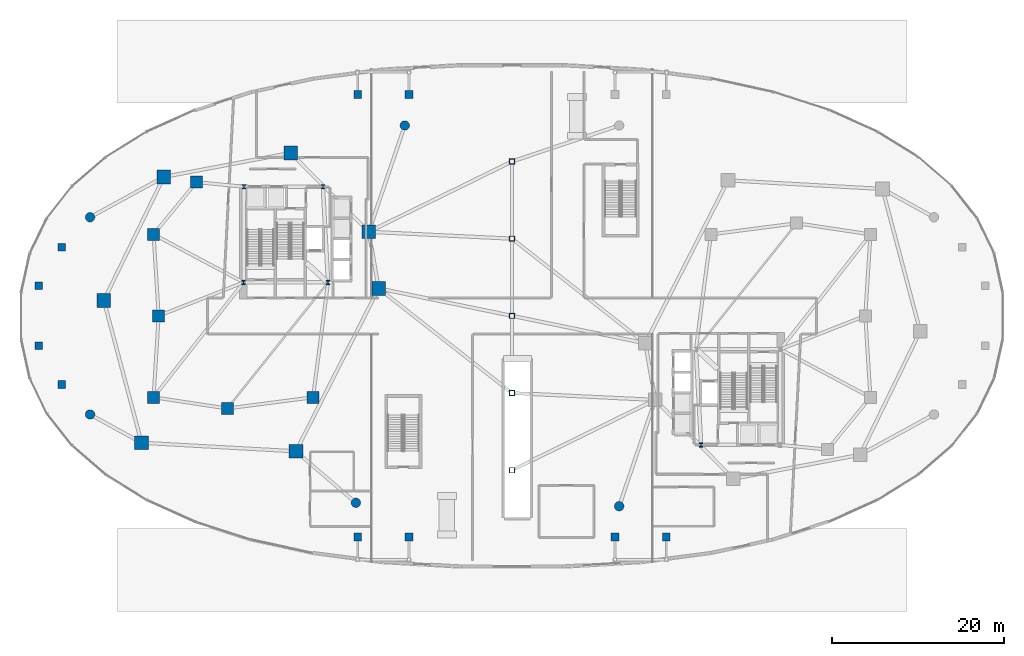
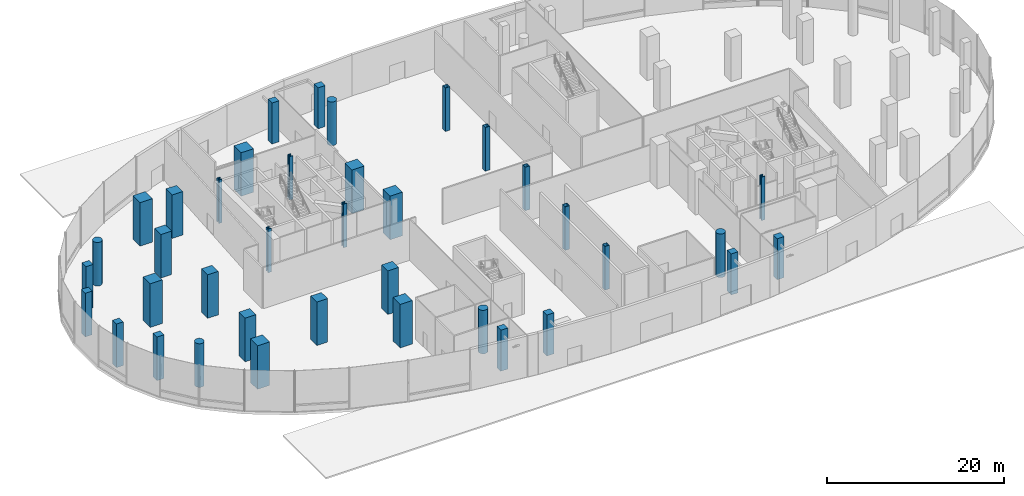
# One storey, part 1 of 20: 38 columns.
"""IFC4 building model written with IfcOpenShell, lengths in metres."""

from ifc_helpers import new_model, si_unit, direction, frame, origin, origin_2d, place, context, subcontext, project, spatial, rectangle, hollow_rectangle, circle, i_section, extrude, material, material_profile, profile_set, type_object, element, save


model = new_model("IFC4")

# Units and contexts
model_context = context("Model", 3, precision=1e-05, world=origin(), true_north=direction((0.0, 1.0)))
body_context = subcontext(model_context, "Body", "Model", "MODEL_VIEW")
ifc_project = project(units=[si_unit("LENGTHUNIT", "METRE"), si_unit("AREAUNIT", "SQUARE_METRE"), si_unit("VOLUMEUNIT", "CUBIC_METRE"), si_unit("PLANEANGLEUNIT", "RADIAN"), si_unit("MASSUNIT", "GRAM", prefix="KILO"), si_unit("THERMODYNAMICTEMPERATUREUNIT", "KELVIN"), si_unit("POWERUNIT", "WATT")], contexts=[model_context])

# Site, building, storey
site_placement = place(None, origin())
site = spatial("IfcSite", under=ifc_project, at=site_placement, CompositionType="ELEMENT")
building_placement = place(site_placement, origin())
building = spatial("IfcBuilding", under=site, at=building_placement, Name="Cundina Bronze Exchange", CompositionType="ELEMENT")
storey_placement = place(building_placement, origin())
storey = spatial("IfcBuildingStorey", under=building, at=storey_placement, Name="L00", CompositionType="ELEMENT", Elevation=0.0)

# Columns
ifc_material_1 = material(Name="Concrete C60/75", Category="concrete")
ifc_material_profile_1 = material_profile(ifc_material_1, rectangle(XDim=1.39990234375, YDim=1.39990234375, at=origin_2d()), Name="RC1400X1400", Category="concrete")
ifc_profile_set_1 = profile_set([ifc_material_profile_1], Name="Concrete C60/75")
column_type_1 = type_object("IfcColumnType", Name="COL-MEGA-1400", PredefinedType="COLUMN", material=ifc_profile_set_1)
for number, where, z_axis, x_axis, name in (
    (1, (-41.199951171875, 0.0, 0.0), (0.0, 0.0, 1.0), (1.0, 0.0, 0.0), "L00 W Inner Ring Column 1"),
    (2, (-41.800048828125, 9.5, 0.0), (0.0, 0.0, 1.0), (1.0, 0.0, 0.0), "L00 W Inner Ring Column 2"),
    (3, (-36.800048828125, 15.60009765625, 0.0), (0.0, 0.0, 1.0), (1.0, 0.0, 0.0), "L00 W Inner Ring Column 3"),
    (4, (-41.800048828125, -9.5, 0.0), (0.0, 0.0, 1.0), (1.0, 0.0, 0.0), "L00 W Inner Ring Column 4"),
    (5, (-33.199951171875, -10.800048828125, 0.0), (0.0, 0.0, 1.0), (1.0, 0.0, 0.0), "L00 W Inner Ring Column 5"),
    (6, (-23.199951171875, -9.5, 0.0), (0.0, 0.0, 1.0), (1.0, 0.0, 0.0), "L00 W Inner Ring Column 6"),
):
    element("IfcColumn", number, at=place(storey_placement, frame(where, z_axis=z_axis, x_axis=x_axis)), inside=storey, type_object=column_type_1, Name=name, PredefinedType="COLUMN", context=body_context, shape_type="SweptSolid", body=[
        extrude(rectangle(XDim=1.39990234375, YDim=1.39990234375, at=origin_2d()), origin(), (0.0, 0.0, 1.0), 6.0),
    ])
ifc_material_profile_2 = material_profile(ifc_material_1, rectangle(XDim=1.60009765625, YDim=1.60009765625, at=origin_2d()), Name="RC1600X1600", Category="concrete")
ifc_profile_set_2 = profile_set([ifc_material_profile_2], Name="Concrete C60/75")
column_type_2 = type_object("IfcColumnType", Name="COL-MEGA-1600", PredefinedType="COLUMN", material=ifc_profile_set_2)
for number, where, z_axis, x_axis, name in (
    (7, (-15.550048828125, 3.199951171875, 0.0), (0.0, 0.0, 1.0), (1.0, 0.0, 0.0), "L00 W Podium Mega-Column 00"),
    (8, (-16.699951171875, 9.800048828125, 0.0), (0.0, 0.0, 1.0), (1.0, 0.0, 0.0), "L00 W Podium Mega-Column 02"),
    (9, (-25.800048828125, 19.0, 0.0), (0.0, 0.0, 1.0), (1.0, 0.0, 0.0), "L00 W Podium Mega-Column 04"),
    (10, (-40.60009765625, 16.199951171875, 0.0), (0.0, 0.0, 1.0), (1.0, 0.0, 0.0), "L00 W Podium Mega-Column 06"),
    (11, (-47.60009765625, 1.800048828125, 0.0), (0.0, 0.0, 1.0), (1.0, 0.0, 0.0), "L00 W Podium Mega-Column 08"),
    (12, (-43.199951171875, -14.800048828125, 0.0), (0.0, 0.0, 1.0), (1.0, 0.0, 0.0), "L00 W Podium Mega-Column 10"),
    (13, (-25.199951171875, -15.800048828125, 0.0), (0.0, 0.0, 1.0), (1.0, 0.0, 0.0), "L00 W Podium Mega-Column 12"),
):
    element("IfcColumn", number, at=place(storey_placement, frame(where, z_axis=z_axis, x_axis=x_axis)), inside=storey, type_object=column_type_2, Name=name, PredefinedType="COLUMN", context=body_context, shape_type="SweptSolid", body=[
        extrude(rectangle(XDim=1.60009765625, YDim=1.60009765625, at=origin_2d()), origin(), (0.0, 0.0, 1.0), 6.0),
    ])
ifc_material_profile_3 = material_profile(ifc_material_1, circle(Radius=0.550048828125, at=origin_2d()), Name="RC1100D", Category="concrete")
ifc_profile_set_3 = profile_set([ifc_material_profile_3], Name="Concrete C60/75")
column_type_3 = type_object("IfcColumnType", Name="COL-PIL-1100D", PredefinedType="PILASTER", material=ifc_profile_set_3)
for number, where, z_axis, x_axis, name in (
    (14, (-49.199951171875, 11.5, 0.0), (0.0, 0.0, 1.0), (1.0, 0.0, 0.0), "L00 Podium Colonnade Pilaster 01"),
    (15, (-49.199951171875, -11.5, 0.0), (0.0, 0.0, 1.0), (1.0, 0.0, 0.0), "L00 Podium Colonnade Pilaster 02"),
    (16, (-12.5, 22.199951171875, 0.0), (0.0, 0.0, 1.0), (1.0, 0.0, 0.0), "L00 Podium Colonnade Pilaster 03"),
    (17, (12.5, -22.199951171875, 0.0), (0.0, 0.0, 1.0), (1.0, 0.0, 0.0), "L00 Podium Colonnade Pilaster 05"),
    (18, (-18.199951171875, -21.800048828125, 0.0), (0.0, 0.0, 1.0), (1.0, 0.0, 0.0), "L00 Podium Colonnade Pilaster 06"),
):
    element("IfcColumn", number, at=place(storey_placement, frame(where, z_axis=z_axis, x_axis=x_axis)), inside=storey, type_object=column_type_3, Name=name, PredefinedType="PILASTER", context=body_context, shape_type="SweptSolid", body=[
        extrude(circle(Radius=0.550048828125, at=origin_2d()), origin(), (0.0, 0.0, 1.0), 6.0),
    ])
ifc_material_2 = material(Name="Steel ASTM A501 Grade B", Category="steel")
ifc_material_profile_4 = material_profile(ifc_material_2, hollow_rectangle(XDim=0.60009765625, YDim=0.60009765625, WallThickness=0.031982421875, at=origin_2d()), Name="HSS600X600X32", Category="steel")
ifc_profile_set_4 = profile_set([ifc_material_profile_4], Name="Steel ASTM A501 Grade B")
column_type_4 = type_object("IfcColumnType", Name="COL-STL-HSS6", PredefinedType="COLUMN", material=ifc_profile_set_4)
for number, where, z_axis, x_axis, name in (
    (19, (0.0, -18.0, 0.0), (0.0, 0.0, 1.0), (1.0, 0.0, 0.0), "L00 Concourse Spine Column 01"),
    (20, (0.0, -9.0, 0.0), (0.0, 0.0, 1.0), (1.0, 0.0, 0.0), "L00 Concourse Spine Column 02"),
    (21, (0.0, 0.0, 0.0), (0.0, 0.0, 1.0), (1.0, 0.0, 0.0), "L00 Concourse Spine Column 03"),
    (22, (0.0, 9.0, 0.0), (0.0, 0.0, 1.0), (1.0, 0.0, 0.0), "L00 Concourse Spine Column 04"),
    (23, (0.0, 18.0, 0.0), (0.0, 0.0, 1.0), (1.0, 0.0, 0.0), "L00 Concourse Spine Column 05"),
):
    element("IfcColumn", number, at=place(storey_placement, frame(where, z_axis=z_axis, x_axis=x_axis)), inside=storey, type_object=column_type_4, Name=name, PredefinedType="COLUMN", context=body_context, shape_type="SweptSolid", body=[
        extrude(hollow_rectangle(XDim=0.60009765625, YDim=0.60009765625, WallThickness=0.031982421875, at=origin_2d()), origin(), (0.0, 0.0, 1.0), 6.0),
    ])
ifc_material_3 = material(Name="Steel ASTM A992 Grade 50", Category="steel")
ifc_material_profile_5 = material_profile(ifc_material_3, i_section(OverallWidth=0.431884765625, OverallDepth=0.498046875, WebThickness=0.0556640625, FlangeThickness=0.0888671875, FilletRadius=0.01806640625, at=origin_2d()), Name="W14X500", Category="steel")
ifc_profile_set_5 = profile_set([ifc_material_profile_5], Name="Steel ASTM A992 Grade 50")
column_type_5 = type_object("IfcColumnType", Name="COL-STL-W14A", PredefinedType="COLUMN", material=ifc_profile_set_5)
for number, where, z_axis, x_axis, name in (
    (24, (-31.300048828125, 3.89990234375, 0.0), (0.0, 0.0, 1.0), (1.0, 0.0, 0.0), "L00 Core Anchor Column W1"),
    (25, (-21.449951171875, 3.89990234375, 0.0), (0.0, 0.0, 1.0), (1.0, 0.0, 0.0), "L00 Core Anchor Column W2"),
    (26, (-22.050048828125, 15.050048828125, 0.0), (0.0, 0.0, 1.0), (1.0, 0.0, 0.0), "L00 Core Anchor Column W3"),
    (27, (-31.25, 15.050048828125, 0.0), (0.0, 0.0, 1.0), (1.0, 0.0, 0.0), "L00 Core Anchor Column W4"),
    (28, (22.050048828125, -15.050048828125, 0.0), (0.0, 0.0, 1.0), (1.0, 0.0, 0.0), "L00 Core Anchor Column E3"),
):
    element("IfcColumn", number, at=place(storey_placement, frame(where, z_axis=z_axis, x_axis=x_axis)), inside=storey, type_object=column_type_5, Name=name, PredefinedType="COLUMN", context=body_context, shape_type="SweptSolid", body=[
        extrude(i_section(OverallWidth=0.431884765625, OverallDepth=0.498046875, WebThickness=0.0556640625, FlangeThickness=0.0888671875, FilletRadius=0.01806640625, at=origin_2d()), origin(), (0.0, 0.0, 1.0), 6.0),
    ])
ifc_material_4 = material(Name="Concrete C50/60", Category="concrete")
ifc_material_profile_6 = material_profile(ifc_material_4, rectangle(XDim=0.89990234375, YDim=0.89990234375, at=origin_2d()), Name="RC900X900", Category="concrete")
ifc_profile_set_6 = profile_set([ifc_material_profile_6], Name="Concrete C50/60")
column_type_6 = type_object("IfcColumnType", Name="COL-Z4-900", PredefinedType="COLUMN", material=ifc_profile_set_6)
for number, where, z_axis, x_axis, name in (
    (29, (-52.5, -8.0, 0.0), (0.0, 0.0, 1.0), (1.0, 0.0, 0.0), "L00 Podium Crescent Wing Column W1"),
    (30, (-52.5, 8.0, 0.0), (0.0, 0.0, 1.0), (1.0, 0.0, 0.0), "L00 Podium Crescent Wing Column W2"),
    (31, (-55.199951171875, -3.5, 0.0), (0.0, 0.0, 1.0), (1.0, 0.0, 0.0), "L00 Podium Crescent Wing Column W3"),
    (32, (-55.199951171875, 3.5, 0.0), (0.0, 0.0, 1.0), (1.0, 0.0, 0.0), "L00 Podium Crescent Wing Column W4"),
):
    element("IfcColumn", number, at=place(storey_placement, frame(where, z_axis=z_axis, x_axis=x_axis)), inside=storey, type_object=column_type_6, Name=name, PredefinedType="COLUMN", context=body_context, shape_type="SweptSolid", body=[
        extrude(rectangle(XDim=0.89990234375, YDim=0.89990234375, at=origin_2d()), origin(), (0.0, 0.0, 1.0), 6.0),
    ])
for number, where, z_axis, x_axis, name in (
    (33, (-18.0, -25.800048828125, 0.0), (0.0, 0.0, 1.0), (1.0, 0.0, 0.0), "L00 South Canopy Column 01"),
    (34, (-12.0, -25.800048828125, 0.0), (0.0, 0.0, 1.0), (1.0, 0.0, 0.0), "L00 South Canopy Column 02"),
    (35, (12.0, -25.800048828125, 0.0), (0.0, 0.0, 1.0), (1.0, 0.0, 0.0), "L00 South Canopy Column 03"),
    (36, (18.0, -25.800048828125, 0.0), (0.0, 0.0, 1.0), (1.0, 0.0, 0.0), "L00 South Canopy Column 04"),
    (37, (-18.0, 25.800048828125, 0.0), (0.0, 0.0, 1.0), (1.0, 0.0, 0.0), "L00 North Canopy Column 05"),
    (38, (-12.0, 25.800048828125, 0.0), (0.0, 0.0, 1.0), (1.0, 0.0, 0.0), "L00 North Canopy Column 06"),
):
    element("IfcColumn", number, at=place(storey_placement, frame(where, z_axis=z_axis, x_axis=x_axis)), inside=storey, type_object=column_type_6, Name=name, PredefinedType="COLUMN", context=body_context, shape_type="SweptSolid", body=[
        extrude(rectangle(XDim=0.89990234375, YDim=0.89990234375, at=origin_2d()), origin(), (0.0, 0.0, 1.0), 5.64990234375),
    ])

save(model, "model.ifc")
